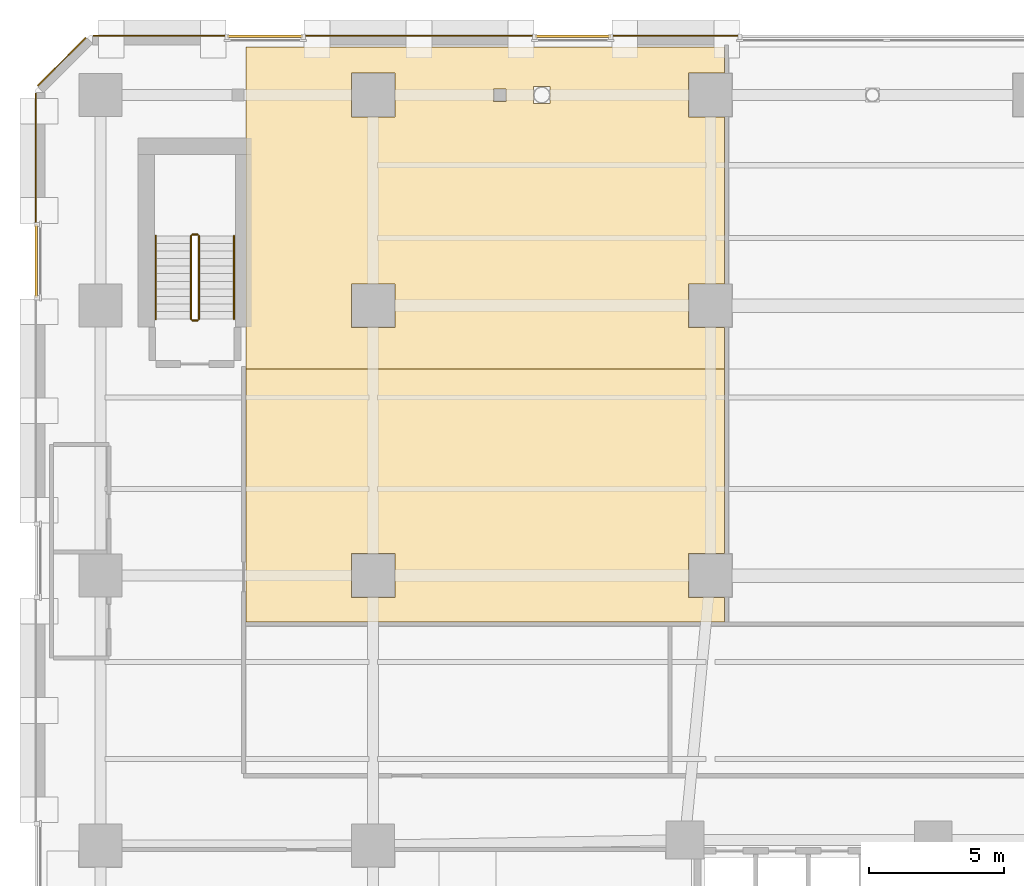
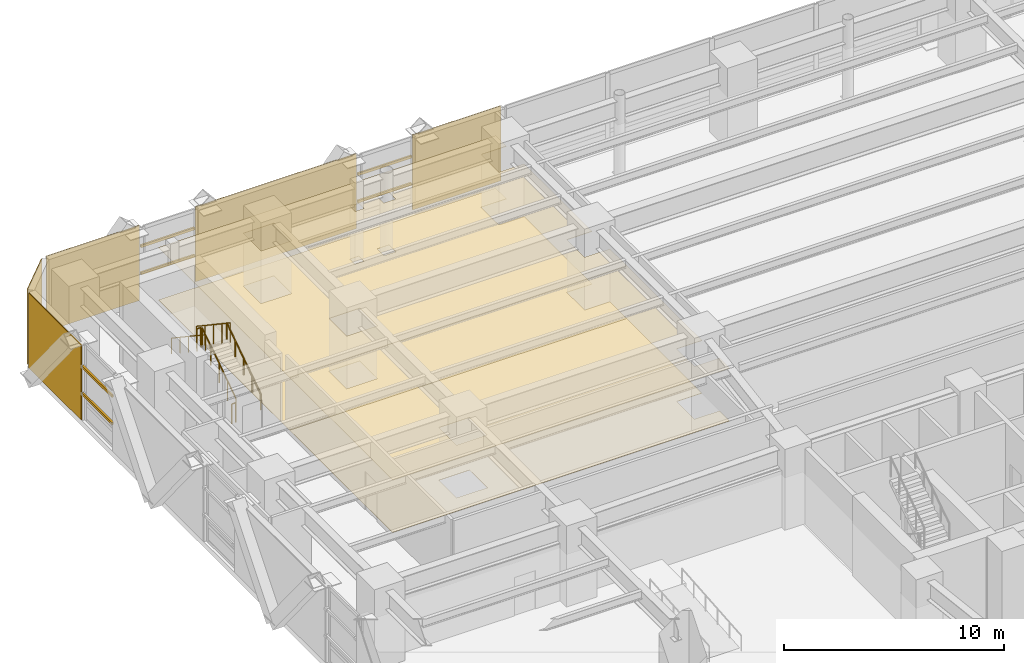
# One storey, part 24 of 26: 9 coverings, 6 railings, 6 shading devices.
"""IFC4 building model written with IfcOpenShell, lengths in metres."""

from ifc_helpers import new_model, si_unit, direction, frame, origin, origin_2d, place, context, subcontext, project, spatial, polyline, rectangle, circle, outline, extrude, material, layer, layer_set, material_profile, profile_set, type_object, element, save


model = new_model("IFC4")

# Units and contexts
model_context = context("Model", 3, precision=1e-05, world=origin(), true_north=direction((0.0, 1.0)))
body_context = subcontext(model_context, "Body", "Model", "MODEL_VIEW")
ifc_project = project(units=[si_unit("LENGTHUNIT", "METRE"), si_unit("AREAUNIT", "SQUARE_METRE"), si_unit("VOLUMEUNIT", "CUBIC_METRE"), si_unit("PLANEANGLEUNIT", "RADIAN"), si_unit("MASSUNIT", "GRAM", prefix="KILO")], contexts=[model_context])

# Site, building, storey
site_placement = place(None, origin())
site = spatial("IfcSite", under=ifc_project, at=site_placement, CompositionType="ELEMENT")
building_placement = place(site_placement, origin())
building = spatial("IfcBuilding", under=site, at=building_placement, Name="Quenlor Broadcast Tower", CompositionType="ELEMENT")
storey_placement = place(building_placement, frame((0.0, 0.0, 5.0)))
storey = spatial("IfcBuildingStorey", under=building, at=storey_placement, Name="L01", CompositionType="ELEMENT", Elevation=5.0)

# Coverings
ifc_material_1 = material(Name="Acoustic Mineral Fibre Board", Category="other")
ifc_layer_1 = layer(ifc_material_1, 0.02490234375)
ifc_layer_set_1 = layer_set([ifc_layer_1], Name="Acoustic Perforated Mineral Tile Ceiling 25")
covering_type_1 = type_object("IfcCoveringType", Name="Acoustic Perforated Mineral Tile Ceiling 25", PredefinedType="CEILING", material=ifc_layer_set_1)
covering_1_placement = place(storey_placement, frame((0.0, 0.0, 2.925048828125)))
element("IfcCovering", 1, at=covering_1_placement, inside=storey, type_object=covering_type_1, Name="L01 Acoustic Ceiling L01-37", PredefinedType="CEILING", context=body_context, shape_type="SweptSolid", body=[
    extrude(outline(polyline([(-11.47998046875, 5.80810546875), (-12.80810546875, 5.80810546875), (-12.80810546875, 4.19189453125), (-11.47998046875, 4.19189453125), (-11.47998046875, 3.280029296875), (-29.199951171875, 3.280029296875), (-29.199951171875, 12.64990234375), (-11.47998046875, 12.64990234375), (-11.47998046875, 5.80810546875)]), holes=[polyline([(-23.69189453125, 4.19189453125), (-23.69189453125, 5.80810546875), (-25.30810546875, 5.80810546875), (-25.30810546875, 4.19189453125), (-23.69189453125, 4.19189453125)])]), origin(), (0.0, 0.0, 1.0), 0.02490234375),
])
covering_2_placement = place(storey_placement, frame((0.0, 0.0, 2.925048828125)))
element("IfcCovering", 2, at=covering_2_placement, inside=storey, type_object=covering_type_1, Name="L01 Acoustic Ceiling L01-37-2", PredefinedType="CEILING", context=body_context, shape_type="SweptSolid", body=[
    extrude(outline(polyline([(-11.47998046875, 24.580078125), (-11.47998046875, 23.60791015625), (-12.80810546875, 23.60791015625), (-12.80810546875, 21.991943359375), (-11.47998046875, 21.991943359375), (-11.47998046875, 15.80810546875), (-12.80810546875, 15.80810546875), (-12.80810546875, 14.19189453125), (-11.47998046875, 14.19189453125), (-11.47998046875, 12.64990234375), (-29.199951171875, 12.64990234375), (-29.199951171875, 24.580078125), (-11.47998046875, 24.580078125)]), holes=[polyline([(-23.69189453125, 14.19189453125), (-23.69189453125, 15.80810546875), (-25.30810546875, 15.80810546875), (-25.30810546875, 14.19189453125), (-23.69189453125, 14.19189453125)]), polyline([(-23.69189453125, 21.991943359375), (-23.69189453125, 23.60791015625), (-25.30810546875, 23.60791015625), (-25.30810546875, 21.991943359375), (-23.69189453125, 21.991943359375)]), polyline([(-19.56689453125, 22.56689453125), (-19.56689453125, 23.032958984375), (-20.032958984375, 23.032958984375), (-20.032958984375, 22.56689453125), (-19.56689453125, 22.56689453125)]), polyline([(-17.93701171875, 22.487060546875), (-17.93701171875, 23.113037109375), (-18.56298828125, 23.113037109375), (-18.56298828125, 22.487060546875), (-17.93701171875, 22.487060546875)])]), origin(), (0.0, 0.0, 1.0), 0.02490234375),
])

# Shading devices
ifc_material_2 = material(Name="Architectural Terracotta Ceramic", Category="masonry")
ifc_material_profile = material_profile(ifc_material_2, rectangle(XDim=0.090087890625, YDim=0.139892578125, at=origin_2d()))
ifc_profile_set = profile_set([ifc_material_profile], Name="Architectural Terracotta Ceramic BAG90x140")
shading_device_type = type_object("IfcShadingDeviceType", Name="Copper Terracotta Baguette Solar Screen 140", PredefinedType="USERDEFINED", material=ifc_profile_set)
for number, where, z_axis, x_axis, name in (
    (3, (-29.909423828125, 24.972900390625, 1.511962890625), (1.0, 0.0, 0.0), (0.0, 1.0, 0.0), "L01 Terracotta Baguette Screen 1"),
    (4, (-29.909423828125, 24.972900390625, 3.02392578125), (1.0, 0.0, 0.0), (0.0, 1.0, 0.0), "L01 Terracotta Baguette Screen 2"),
):
    element("IfcShadingDevice", number, at=place(storey_placement, frame(where, z_axis=z_axis, x_axis=x_axis)), inside=storey, type_object=shading_device_type, Name=name, ObjectType="BAGUETTE", PredefinedType="USERDEFINED", context=body_context, shape_type="SweptSolid", body=[
        extrude(rectangle(XDim=0.090087890625, YDim=0.139892578125, at=origin_2d()), origin(), (0.0, 0.0, 1.0), 2.81884765625),
    ])
for number, where, z_axis, x_axis, name in (
    (5, (-18.509521484375, 24.972900390625, 1.511962890625), (1.0, 0.0, 0.0), (0.0, 1.0, 0.0), "L01 Terracotta Baguette Screen 1"),
    (6, (-18.509521484375, 24.972900390625, 3.02392578125), (1.0, 0.0, 0.0), (0.0, 1.0, 0.0), "L01 Terracotta Baguette Screen 2"),
):
    element("IfcShadingDevice", number, at=place(storey_placement, frame(where, z_axis=z_axis, x_axis=x_axis)), inside=storey, type_object=shading_device_type, Name=name, ObjectType="BAGUETTE", PredefinedType="USERDEFINED", context=body_context, shape_type="SweptSolid", body=[
        extrude(rectangle(XDim=0.090087890625, YDim=0.139892578125, at=origin_2d()), origin(), (0.0, 0.0, 1.0), 2.819091796875),
    ])
for number, where, z_axis, x_axis, name in (
    (7, (-36.972900390625, 15.293701171875, 1.511962890625), (0.0, 1.0, 0.0), (-1.0, 0.0, 0.0), "L01 Terracotta Baguette Screen 1"),
    (8, (-36.972900390625, 15.293701171875, 3.02392578125), (0.0, 1.0, 0.0), (-1.0, 0.0, 0.0), "L01 Terracotta Baguette Screen 2"),
):
    element("IfcShadingDevice", number, at=place(storey_placement, frame(where, z_axis=z_axis, x_axis=x_axis)), inside=storey, type_object=shading_device_type, Name=name, ObjectType="BAGUETTE", PredefinedType="USERDEFINED", context=body_context, shape_type="SweptSolid", body=[
        extrude(rectangle(XDim=0.090087890625, YDim=0.139892578125, at=origin_2d()), origin(), (0.0, 0.0, 1.0), 2.712646484375),
    ])

# Coverings
ifc_material_3 = material(Name="Architectural Terracotta Ceramic", Category="masonry")
ifc_layer_2 = layer(ifc_material_3, 0.044921875)
ifc_layer_set_2 = layer_set([ifc_layer_2], Name="Fluted Terracotta Rainscreen Cladding Panel")
covering_type_2 = type_object("IfcCoveringType", Name="Fluted Terracotta Rainscreen Cladding Panel", PredefinedType="CLADDING", material=ifc_layer_set_2)
covering_3_placement = place(storey_placement, frame((0.0, 0.0, 0.02001953125)))
element("IfcCovering", 9, at=covering_3_placement, inside=storey, type_object=covering_type_2, Name="L01 Terracotta Rainscreen Cladding L01-N-FULL-SP1", PredefinedType="CLADDING", context=body_context, shape_type="SweptSolid", body=[
    extrude(outline(polyline([(-34.8701171875, 24.971923828125), (-29.98046875, 24.971923828125), (-29.98046875, 25.01708984375), (-34.8701171875, 25.01708984375), (-34.8701171875, 24.971923828125)])), origin(), (0.0, 0.0, 1.0), 4.159912109375),
])
covering_4_placement = place(storey_placement, frame((0.0, 0.0, 0.02001953125)))
element("IfcCovering", 10, at=covering_4_placement, inside=storey, type_object=covering_type_2, Name="L01 Terracotta Rainscreen Cladding L01-N-FULL-SP2", PredefinedType="CLADDING", context=body_context, shape_type="SweptSolid", body=[
    extrude(outline(polyline([(-27.01953125, 24.971923828125), (-18.58056640625, 24.971923828125), (-18.58056640625, 25.01708984375), (-27.01953125, 25.01708984375), (-27.01953125, 24.971923828125)])), origin(), (0.0, 0.0, 1.0), 4.159912109375),
])
covering_5_placement = place(storey_placement, frame((0.0, 0.0, 0.02001953125)))
element("IfcCovering", 11, at=covering_5_placement, inside=storey, type_object=covering_type_2, Name="L01 Terracotta Rainscreen Cladding L01-N-FULL-SP3", PredefinedType="CLADDING", context=body_context, shape_type="SweptSolid", body=[
    extrude(outline(polyline([(-15.619384765625, 24.971923828125), (-10.98046875, 24.971923828125), (-10.98046875, 25.01708984375), (-15.619384765625, 25.01708984375), (-15.619384765625, 24.971923828125)])), origin(), (0.0, 0.0, 1.0), 4.159912109375),
])
covering_6_placement = place(storey_placement, frame((0.0, 0.0, 0.02001953125)))
element("IfcCovering", 12, at=covering_6_placement, inside=storey, type_object=covering_type_2, Name="L01 Terracotta Rainscreen Cladding L01-W-FULL-SP5", PredefinedType="CLADDING", context=body_context, shape_type="SweptSolid", body=[
    extrude(outline(polyline([(-36.971923828125, 18.077392578125), (-36.971923828125, 22.8701171875), (-37.01708984375, 22.8701171875), (-37.01708984375, 18.077392578125), (-36.971923828125, 18.077392578125)])), origin(), (0.0, 0.0, 1.0), 4.159912109375),
])
covering_7_placement = place(storey_placement, frame((0.0, 0.0, 0.02001953125)))
element("IfcCovering", 13, at=covering_7_placement, inside=storey, type_object=covering_type_2, Name="L01 Terracotta Rainscreen Cladding L01-EW-CNW", PredefinedType="CLADDING", context=body_context, shape_type="SweptSolid", body=[
    extrude(outline(polyline([(-36.90625, 23.128662109375), (-35.128662109375, 24.90625), (-35.160400390625, 24.93798828125), (-36.93798828125, 23.160400390625), (-36.90625, 23.128662109375)])), origin(), (0.0, 0.0, 1.0), 4.159912109375),
])
ifc_material_4 = material(Name="Terrazzo Stone Finish", Category="masonry")
ifc_layer_3 = layer(ifc_material_4, 0.02001953125)
ifc_layer_set_3 = layer_set([ifc_layer_3], Name="Polished Sandstone Terrazzo Flooring 20")
covering_type_3 = type_object("IfcCoveringType", Name="Polished Sandstone Terrazzo Flooring 20", PredefinedType="FLOORING", material=ifc_layer_set_3)
covering_8_placement = place(storey_placement, origin())
element("IfcCovering", 14, at=covering_8_placement, inside=storey, type_object=covering_type_3, Name="L01 Terrazzo Flooring L01-37", PredefinedType="FLOORING", context=body_context, shape_type="SweptSolid", body=[
    extrude(outline(polyline([(-11.47998046875, 5.80810546875), (-12.80810546875, 5.80810546875), (-12.80810546875, 4.19189453125), (-11.47998046875, 4.19189453125), (-11.47998046875, 3.280029296875), (-29.199951171875, 3.280029296875), (-29.199951171875, 12.64990234375), (-11.47998046875, 12.64990234375), (-11.47998046875, 5.80810546875)]), holes=[polyline([(-23.69189453125, 4.19189453125), (-23.69189453125, 5.80810546875), (-25.30810546875, 5.80810546875), (-25.30810546875, 4.19189453125), (-23.69189453125, 4.19189453125)])]), origin(), (0.0, 0.0, 1.0), 0.02001953125),
])
covering_9_placement = place(storey_placement, origin())
element("IfcCovering", 15, at=covering_9_placement, inside=storey, type_object=covering_type_3, Name="L01 Terrazzo Flooring L01-37-2", PredefinedType="FLOORING", context=body_context, shape_type="SweptSolid", body=[
    extrude(outline(polyline([(-11.47998046875, 24.580078125), (-11.47998046875, 23.60791015625), (-12.80810546875, 23.60791015625), (-12.80810546875, 21.991943359375), (-11.47998046875, 21.991943359375), (-11.47998046875, 15.80810546875), (-12.80810546875, 15.80810546875), (-12.80810546875, 14.19189453125), (-11.47998046875, 14.19189453125), (-11.47998046875, 12.64990234375), (-29.199951171875, 12.64990234375), (-29.199951171875, 24.580078125), (-11.47998046875, 24.580078125)]), holes=[polyline([(-23.69189453125, 14.19189453125), (-23.69189453125, 15.80810546875), (-25.30810546875, 15.80810546875), (-25.30810546875, 14.19189453125), (-23.69189453125, 14.19189453125)]), polyline([(-23.69189453125, 21.991943359375), (-23.69189453125, 23.60791015625), (-25.30810546875, 23.60791015625), (-25.30810546875, 21.991943359375), (-23.69189453125, 21.991943359375)]), polyline([(-19.56689453125, 22.56689453125), (-19.56689453125, 23.032958984375), (-20.032958984375, 23.032958984375), (-20.032958984375, 22.56689453125), (-19.56689453125, 22.56689453125)]), polyline([(-17.93701171875, 22.487060546875), (-17.93701171875, 23.113037109375), (-18.56298828125, 23.113037109375), (-18.56298828125, 22.487060546875), (-17.93701171875, 22.487060546875)])]), origin(), (0.0, 0.0, 1.0), 0.02001953125),
])

# Railings
ifc_material_5 = material(Name="Anodised Aluminium", Category="aluminium")
railing_type_1 = type_object("IfcRailingType", Name="Stainless Aluminium Wall Handrail 900", PredefinedType="HANDRAIL", material=ifc_material_5)
railing_1_placement = place(storey_placement, frame((-29.64990234375, 14.5, 0.1875)))
element("IfcRailing", 16, at=railing_1_placement, inside=storey, type_object=railing_type_1, Name="L01 ST-3 stair handrail 1", PredefinedType="HANDRAIL", context=body_context, shape_type="SweptSolid", body=[
    extrude(circle(Radius=0.02392578125, at=origin_2d()), frame((0.0, 0.0, 0.8759765625), z_axis=(0.0, 0.830913701846, 0.55640131208), x_axis=(-1.0, 0.0, 0.0)), (0.0, 0.0, 1.0), 3.706787109375),
    extrude(circle(Radius=0.02099609375, at=origin_2d()), origin(), (0.0, 0.0, 1.0), 0.851806640625),
    extrude(circle(Radius=0.02099609375, at=origin_2d()), frame((0.0, 0.77001953125, 0.515625)), (0.0, 0.0, 1.0), 0.851806640625),
    extrude(circle(Radius=0.02099609375, at=origin_2d()), frame((0.0, 1.5400390625, 1.03125)), (0.0, 0.0, 1.0), 0.851806640625),
    extrude(circle(Radius=0.02099609375, at=origin_2d()), frame((0.0, 2.31005859375, 1.546875)), (0.0, 0.0, 1.0), 0.851806640625),
    extrude(circle(Radius=0.02099609375, at=origin_2d()), frame((0.0, 3.080078125, 2.0625)), (0.0, 0.0, 1.0), 0.851806640625),
])
railing_2_placement = place(storey_placement, frame((-32.550048828125, 17.580078125, 2.4375)))
element("IfcRailing", 17, at=railing_2_placement, inside=storey, type_object=railing_type_1, Name="L01 ST-3 stair handrail 2", PredefinedType="HANDRAIL", context=body_context, shape_type="SweptSolid", body=[
    extrude(circle(Radius=0.02392578125, at=origin_2d()), frame((0.0, 0.0, 0.8759765625), z_axis=(0.0, -0.830913701846, 0.55640131208), x_axis=(1.0, 0.0, 0.0)), (0.0, 0.0, 1.0), 3.706787109375),
    extrude(circle(Radius=0.02099609375, at=origin_2d()), origin(), (0.0, 0.0, 1.0), 0.851806640625),
    extrude(circle(Radius=0.02099609375, at=origin_2d()), frame((0.0, -0.77001953125, 0.515625)), (0.0, 0.0, 1.0), 0.851806640625),
    extrude(circle(Radius=0.02099609375, at=origin_2d()), frame((0.0, -1.5400390625, 1.03125)), (0.0, 0.0, 1.0), 0.851806640625),
    extrude(circle(Radius=0.02099609375, at=origin_2d()), frame((0.0, -2.31005859375, 1.546875)), (0.0, 0.0, 1.0), 0.851806640625),
    extrude(circle(Radius=0.02099609375, at=origin_2d()), frame((0.0, -3.080078125, 2.0625)), (0.0, 0.0, 1.0), 0.851806640625),
])
ifc_material_6 = material(Name="Steel S355", Category="steel")
railing_type_2 = type_object("IfcRailingType", Name="Tubular Steel S355 Stair Guardrail 1100", PredefinedType="BALUSTRADE", material=ifc_material_6)
railing_3_placement = place(storey_placement, frame((-30.949951171875, 14.5, 0.1875)))
element("IfcRailing", 18, at=railing_3_placement, inside=storey, type_object=railing_type_2, Name="L01 ST-3 stair guard 1", PredefinedType="BALUSTRADE", context=body_context, shape_type="SweptSolid", body=[
    extrude(circle(Radius=0.02392578125, at=origin_2d()), frame((0.0, 0.0, 1.076171875), z_axis=(0.0, 0.830913701846, 0.55640131208), x_axis=(-1.0, 0.0, 0.0)), (0.0, 0.0, 1.0), 3.706787109375),
    extrude(circle(Radius=0.02099609375, at=origin_2d()), origin(), (0.0, 0.0, 1.0), 1.052001953125),
    extrude(circle(Radius=0.02099609375, at=origin_2d()), frame((0.0, 0.77001953125, 0.515625)), (0.0, 0.0, 1.0), 1.052001953125),
    extrude(circle(Radius=0.02099609375, at=origin_2d()), frame((0.0, 1.5400390625, 1.03125)), (0.0, 0.0, 1.0), 1.052001953125),
    extrude(circle(Radius=0.02099609375, at=origin_2d()), frame((0.0, 2.31005859375, 1.546875)), (0.0, 0.0, 1.0), 1.052001953125),
    extrude(circle(Radius=0.02099609375, at=origin_2d()), frame((0.0, 3.080078125, 2.0625)), (0.0, 0.0, 1.0), 1.052001953125),
])
railing_4_placement = place(storey_placement, frame((-31.0, 17.6298828125, 2.25)))
element("IfcRailing", 19, at=railing_4_placement, inside=storey, type_object=railing_type_2, Name="L01 ST-3 stair guard 2", PredefinedType="BALUSTRADE", context=body_context, shape_type="SweptSolid", body=[
    extrude(circle(Radius=0.02392578125, at=origin_2d()), frame((0.0, 0.0, 1.076171875), z_axis=(-1.0, 0.0, 0.0), x_axis=(0.0, -1.0, 0.0)), (0.0, 0.0, 1.0), 0.199951171875),
    extrude(circle(Radius=0.02099609375, at=origin_2d()), origin(), (0.0, 0.0, 1.0), 1.052001953125),
    extrude(circle(Radius=0.02099609375, at=origin_2d()), frame((-0.199951171875, 0.0, 0.0)), (0.0, 0.0, 1.0), 1.052001953125),
])
railing_5_placement = place(storey_placement, frame((-31.25, 17.580078125, 2.4375)))
element("IfcRailing", 20, at=railing_5_placement, inside=storey, type_object=railing_type_2, Name="L01 ST-3 stair guard 3", PredefinedType="BALUSTRADE", context=body_context, shape_type="SweptSolid", body=[
    extrude(circle(Radius=0.02392578125, at=origin_2d()), frame((0.0, 0.0, 1.076171875), z_axis=(0.0, -0.830913701846, 0.55640131208), x_axis=(1.0, 0.0, 0.0)), (0.0, 0.0, 1.0), 3.706787109375),
    extrude(circle(Radius=0.02099609375, at=origin_2d()), origin(), (0.0, 0.0, 1.0), 1.052001953125),
    extrude(circle(Radius=0.02099609375, at=origin_2d()), frame((0.0, -0.77001953125, 0.515625)), (0.0, 0.0, 1.0), 1.052001953125),
    extrude(circle(Radius=0.02099609375, at=origin_2d()), frame((0.0, -1.5400390625, 1.03125)), (0.0, 0.0, 1.0), 1.052001953125),
    extrude(circle(Radius=0.02099609375, at=origin_2d()), frame((0.0, -2.31005859375, 1.546875)), (0.0, 0.0, 1.0), 1.052001953125),
    extrude(circle(Radius=0.02099609375, at=origin_2d()), frame((0.0, -3.080078125, 2.0625)), (0.0, 0.0, 1.0), 1.052001953125),
])
railing_6_placement = place(storey_placement, frame((-31.0, 14.449951171875, 0.0)))
element("IfcRailing", 21, at=railing_6_placement, inside=storey, type_object=railing_type_2, Name="L01 ST-3 stair guard 4", PredefinedType="BALUSTRADE", context=body_context, shape_type="SweptSolid", body=[
    extrude(circle(Radius=0.02392578125, at=origin_2d()), frame((0.0, 0.0, 1.076171875), z_axis=(-1.0, 0.0, 0.0), x_axis=(0.0, -1.0, 0.0)), (0.0, 0.0, 1.0), 0.199951171875),
    extrude(circle(Radius=0.02099609375, at=origin_2d()), origin(), (0.0, 0.0, 1.0), 1.052001953125),
    extrude(circle(Radius=0.02099609375, at=origin_2d()), frame((-0.199951171875, 0.0, 0.0)), (0.0, 0.0, 1.0), 1.052001953125),
])

save(model, "model.ifc")
